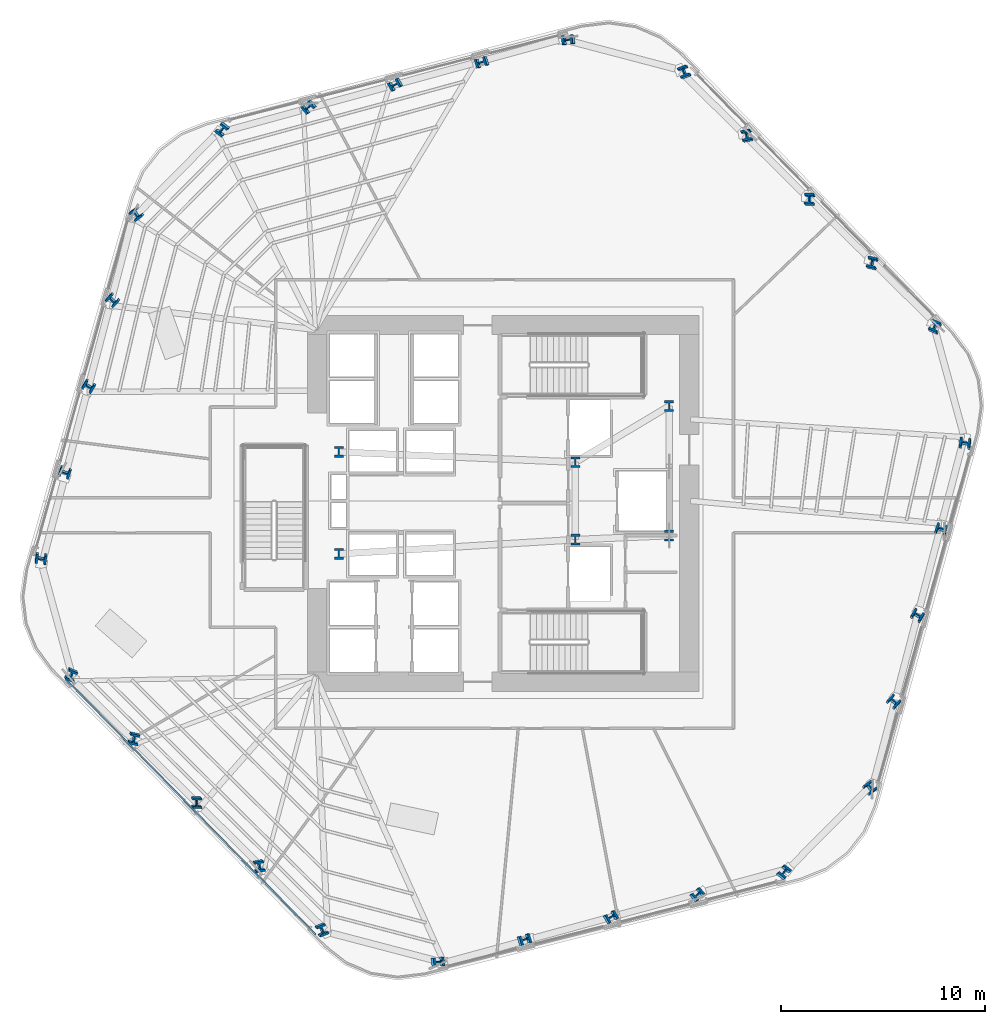
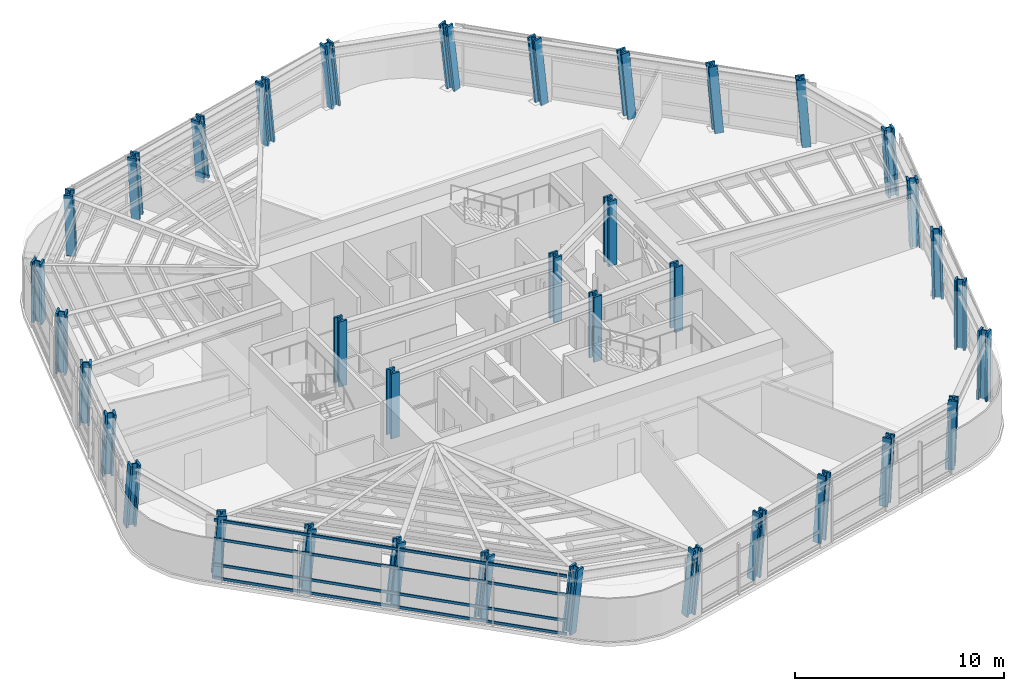
# One storey, part 1 of 17: 36 columns, 4 members, 1 element without a shape of its own.
"""IFC4 building model written with IfcOpenShell, lengths in metres."""

import ifcopenshell
import ifcopenshell.guid

model = None  # the IFC model being written
_history = None  # IfcOwnerHistory: only IFC2X3 demands one
_inside = {}  # id of a spatial element -> (the spatial element, [elements in it])
_under = {}  # id of a project, library or spatial element -> (it, [spatial elements below it])
_declared = {}  # id of a project -> (the project, [libraries it declares])
_typed = {}  # id of a type object -> (the type object, [elements of that type])
_made_of = {}  # id of a material, layer set ... -> (it, [elements and type objects made of it])


def new_model(schema):
    """Start an empty IFC model of exactly this schema.

    Asked for "IFC4X3", IfcOpenShell would pick the latest addendum, in which some entities
    have other attributes; the version numbers below select the first issue.
    IFC2X3 requires an IfcOwnerHistory on every rooted entity: one is made here for all.
    """
    global model, _history
    if schema == "IFC4X3":
        model = ifcopenshell.file(schema_version=(4, 3, 0, 0))
    else:
        model = ifcopenshell.file(schema=schema)
    _inside.clear()
    _under.clear()
    _declared.clear()
    _typed.clear()
    _made_of.clear()
    _history = None
    if model.schema == "IFC2X3":
        org = make("IfcOrganization", Name="unknown")
        user = make(
            "IfcPersonAndOrganization",
            ThePerson=make("IfcPerson", FamilyName="unknown"),
            TheOrganization=org,
        )
        app = make(
            "IfcApplication",
            ApplicationDeveloper=org,
            Version="unknown",
            ApplicationFullName="unknown",
            ApplicationIdentifier="unknown",
        )
        _history = make(
            "IfcOwnerHistory",
            OwningUser=user,
            OwningApplication=app,
            ChangeAction="ADDED",
            CreationDate=0,
        )
    return model


def make(cls, **values):
    """One entity of the class cls with the attributes given. An attribute that is None is left unset."""
    return model.create_entity(
        cls, **{name: value for name, value in values.items() if value is not None}
    )


def rooted(cls, **values):
    """An entity with a GlobalId (a new one), such as an element, a storey or a relation."""
    return make(cls, GlobalId=ifcopenshell.guid.new(), OwnerHistory=_history, **values)


def si_unit(unit_type, name, prefix=None):
    """IfcSIUnit, for example si_unit("LENGTHUNIT", "METRE", prefix="MILLI")."""
    return make("IfcSIUnit", UnitType=unit_type, Prefix=prefix, Name=name)


def assignment(units):
    """IfcUnitAssignment: the units of a project."""
    return None if units is None else make("IfcUnitAssignment", Units=units)


def point(xyz):
    """IfcCartesianPoint."""
    return None if xyz is None else make("IfcCartesianPoint", Coordinates=xyz)


def direction(xyz):
    """IfcDirection."""
    return None if xyz is None else make("IfcDirection", DirectionRatios=xyz)


def frame(location, z_axis=None, x_axis=None):
    """IfcAxis2Placement3D, a coordinate frame: its origin and axes. An axis left out is left unset."""
    return make(
        "IfcAxis2Placement3D",
        Location=point(location),
        Axis=direction(z_axis),
        RefDirection=direction(x_axis),
    )


def frame_2d(location, x_axis=None):
    """IfcAxis2Placement2D, a coordinate frame in the plane: its origin and x axis."""
    return make(
        "IfcAxis2Placement2D", Location=point(location), RefDirection=direction(x_axis)
    )


def origin():
    """The frame at (0, 0, 0) with its axes left unset."""
    return frame((0.0, 0.0, 0.0))


def origin_2d():
    """The frame at (0, 0) in the plane with its x axis left unset."""
    return frame_2d((0.0, 0.0))


def place(relative_to, where):
    """IfcLocalPlacement: puts the frame where relative to a parent placement (None: the world)."""
    return make(
        "IfcLocalPlacement", PlacementRelTo=relative_to, RelativePlacement=where
    )


def context(
    kind, dimensions, precision=None, world=None, true_north=None, identifier=None
):
    """IfcGeometricRepresentationContext, for example the 3D "Model" context."""
    return make(
        "IfcGeometricRepresentationContext",
        ContextIdentifier=identifier,
        ContextType=kind,
        CoordinateSpaceDimension=dimensions,
        Precision=precision,
        WorldCoordinateSystem=world,
        TrueNorth=true_north,
    )


def subcontext(parent, identifier, kind, view, scale=None):
    """IfcGeometricRepresentationSubContext, for example "Body" below "Model"."""
    return make(
        "IfcGeometricRepresentationSubContext",
        ContextIdentifier=identifier,
        ContextType=kind,
        ParentContext=parent,
        TargetScale=scale,
        TargetView=view,
    )


def project(units=None, contexts=None):
    """IfcProject with its units and contexts."""
    return rooted(
        "IfcProject",
        Name="project",
        RepresentationContexts=contexts,
        UnitsInContext=assignment(units),
    )


def spatial(cls, under=None, at=None, **own):
    """A site, building, storey or space (cls), placed at a placement, below another one or the project."""
    s = rooted(cls, ObjectPlacement=at, **own)
    if under is not None:
        _under.setdefault(under.id(), (under, []))[1].append(s)
    return s


def profile(cls, at=None, kind="AREA", **sizes):
    """A parametric profile (cls). Its sizes go by their IFC names, for example OverallWidth=200.0."""
    return make(cls, ProfileType=kind, Position=at, **sizes)


def rectangle(**sizes):
    """IfcRectangleProfileDef."""
    return profile("IfcRectangleProfileDef", **sizes)


def i_section(**sizes):
    """IfcIShapeProfileDef."""
    return profile("IfcIShapeProfileDef", **sizes)


def extrude(swept, where, along, depth):
    """IfcExtrudedAreaSolid: the profile swept, set in the frame where, extruded along a direction by depth."""
    return make(
        "IfcExtrudedAreaSolid",
        SweptArea=swept,
        Position=where,
        ExtrudedDirection=direction(along),
        Depth=depth,
    )


def shape(context_of_items, identifier, shape_type, items):
    """IfcShapeRepresentation: the items that make up one representation, for example the "Body"."""
    return make(
        "IfcShapeRepresentation",
        ContextOfItems=context_of_items,
        RepresentationIdentifier=identifier,
        RepresentationType=shape_type,
        Items=items,
    )


def material(Name=None, Category=None):
    """IfcMaterial."""
    return make("IfcMaterial", Name=Name, Category=Category)


def layer(
    of_material, thickness, ventilated=None, Name=None, Category=None, Priority=None
):
    """IfcMaterialLayer: one layer of a wall or slab, of a material (None: an air gap)."""
    return make(
        "IfcMaterialLayer",
        Material=of_material,
        LayerThickness=thickness,
        IsVentilated=ventilated,
        Name=Name,
        Category=Category,
        Priority=Priority,
    )


def layer_set(layers, Name=None):
    """IfcMaterialLayerSet."""
    return make("IfcMaterialLayerSet", MaterialLayers=layers, LayerSetName=Name)


def material_profile(
    of_material, cross_section, Name=None, Category=None, Priority=None
):
    """IfcMaterialProfile: a cross section and its material."""
    return make(
        "IfcMaterialProfile",
        Name=Name,
        Material=of_material,
        Profile=cross_section,
        Priority=Priority,
        Category=Category,
    )


def profile_set(profiles, Name=None, composite=None):
    """IfcMaterialProfileSet."""
    return make(
        "IfcMaterialProfileSet",
        Name=Name,
        MaterialProfiles=profiles,
        CompositeProfile=composite,
    )


def made_of(thing, what):
    """Note that an element or type object is made of a material, layer set ...; save() writes the relation."""
    if what is not None:
        _made_of.setdefault(what.id(), (what, []))[1].append(thing)
    return thing


def type_object(cls, material=None, **own):
    """A type object (cls), such as IfcWallType, which elements share."""
    return made_of(rooted(cls, **own), material)


def element(
    cls,
    number,
    at=None,
    inside=None,
    cuts=None,
    type_object=None,
    material=None,
    context=None,
    identifier="Body",
    shape_type=None,
    held_by="IfcProductDefinitionShape",
    body=None,
    shapes=None,
    **own,
):
    """One element of the class cls, such as IfcWall. Its Tag is "e" and its number.

    at: its placement. inside: the storey or other place that contains it. cuts: it is an
    opening in that element (IfcRelVoidsElement). A single representation is given by context,
    identifier, shape_type and body (its items); several are given by shapes. held_by: the class
    of the entity that holds the representations. save() writes the other relations.
    """
    e = rooted(cls, Tag="e%d" % number, ObjectPlacement=at, **own)
    if body is not None:
        shapes = [shape(context, identifier, shape_type, body)]
    if shapes is not None:
        e.Representation = make(held_by, Representations=shapes)
    if inside is not None:
        _inside.setdefault(inside.id(), (inside, []))[1].append(e)
    if cuts is not None:
        rooted(
            "IfcRelVoidsElement", RelatingBuildingElement=cuts, RelatedOpeningElement=e
        )
    if type_object is not None:
        _typed.setdefault(type_object.id(), (type_object, []))[1].append(e)
    return made_of(e, material)


def aggregate(whole, parts):
    """IfcRelAggregates: a whole, such as a stair, and the parts it consists of."""
    return rooted("IfcRelAggregates", RelatingObject=whole, RelatedObjects=parts)


def save(model, path):
    """Write the relations noted so far, then the file.

    IfcRelAggregates (storeys below a building ...), IfcRelContainedInSpatialStructure (elements
    in a storey), IfcRelDefinesByType, IfcRelAssociatesMaterial and IfcRelDeclares: one each for
    every whole, place, type object, material and project.
    """
    for whole, parts in _under.values():
        aggregate(whole, parts)
    for where, things in _inside.values():
        rooted(
            "IfcRelContainedInSpatialStructure",
            RelatedElements=things,
            RelatingStructure=where,
        )
    for kind, things in _typed.values():
        rooted("IfcRelDefinesByType", RelatedObjects=things, RelatingType=kind)
    for what, things in _made_of.values():
        rooted("IfcRelAssociatesMaterial", RelatedObjects=things, RelatingMaterial=what)
    for by, libraries in _declared.values():
        rooted("IfcRelDeclares", RelatingContext=by, RelatedDefinitions=libraries)
    model.write(path)


model = new_model("IFC4")

# Units and contexts
model_context = context("Model", 3, precision=1e-05, world=origin(), true_north=direction((0.0, 1.0)))
body_context = subcontext(model_context, "Body", "Model", "MODEL_VIEW")
ifc_project = project(units=[si_unit("LENGTHUNIT", "METRE"), si_unit("AREAUNIT", "SQUARE_METRE"), si_unit("VOLUMEUNIT", "CUBIC_METRE"), si_unit("PLANEANGLEUNIT", "RADIAN"), si_unit("MASSUNIT", "GRAM", prefix="KILO")], contexts=[model_context])

# Site, building, storey
site_placement = place(None, origin())
site = spatial("IfcSite", under=ifc_project, at=site_placement, CompositionType="ELEMENT")
building_placement = place(site_placement, origin())
building = spatial("IfcBuilding", under=site, at=building_placement, Name="Valkerne Bourse Tower", CompositionType="ELEMENT")
storey_placement = place(building_placement, frame((0.0, 0.0, 85.800048828125)))
storey = spatial("IfcBuildingStorey", under=building, at=storey_placement, Name="L21", CompositionType="ELEMENT", Elevation=85.800048828125)

# Columns
ifc_material_1 = material(Name="Steel ASTM A913 Grade 65", Category="steel")
ifc_material_profile_1 = material_profile(ifc_material_1, i_section(OverallWidth=0.44189453125, OverallDepth=0.531005859375, WebThickness=0.06591796875, FlangeThickness=0.105712890625, FilletRadius=0.030517578125, at=origin_2d()), Name="W14X605")
ifc_profile_set_1 = profile_set([ifc_material_profile_1], Name="Steel ASTM A913 Grade 65")
column_type = type_object("IfcColumnType", Name="COL-W14X605", PredefinedType="COLUMN", material=ifc_profile_set_1)
for number, where, z_axis, x_axis, name in (
    (1, (38.75, 24.39990234375, 0.0048828125), (0.0, 0.0, 1.0), (1.0, 0.0, 0.0), "L21 Core Frame Column CC-SW"),
    (2, (38.75, 29.39990234375, 0.0048828125), (0.0, 0.0, 1.0), (1.0, 0.0, 0.0), "L21 Core Frame Column CC-NW"),
    (3, (50.35009765625, 25.10009765625, 0.0048828125), (0.0, 0.0, 1.0), (1.0, 0.0, 0.0), "L21 Core Frame Column CC-CE1"),
    (4, (50.35009765625, 28.89990234375, 0.0048828125), (0.0, 0.0, 1.0), (1.0, 0.0, 0.0), "L21 Core Frame Column CC-CE2"),
    (5, (54.949951171875, 25.300048828125, 0.0048828125), (0.0, 0.0, 1.0), (1.0, 0.0, 0.0), "L21 Core Frame Column CC-SE"),
    (6, (54.949951171875, 31.64990234375, 0.0048828125), (0.0, 0.0, 1.0), (1.0, 0.0, 0.0), "L21 Core Frame Column CC-NE"),
):
    element("IfcColumn", number, at=place(storey_placement, frame(where, z_axis=z_axis, x_axis=x_axis)), inside=storey, type_object=column_type, Name=name, PredefinedType="COLUMN", context=body_context, shape_type="SweptSolid", body=[
        extrude(i_section(OverallWidth=0.44189453125, OverallDepth=0.531005859375, WebThickness=0.06591796875, FlangeThickness=0.105712890625, FilletRadius=0.030517578125, at=origin_2d()), origin(), (0.0, 0.0, 1.0), 3.795166015625),
    ])
column_1_placement = place(storey_placement, frame((67.999755859375, 35.4912109375, 0.010009765625), z_axis=(-0.03574059762, 0.087423044538, 0.995529919674), x_axis=(0.916794699079, -0.393616545836, 0.067479586429)))
element("IfcColumn", 7, at=column_1_placement, inside=storey, type_object=column_type, Name="L21 Helical Perimeter Tube Column F1-C1", PredefinedType="COLUMN", context=body_context, shape_type="SweptSolid", body=[
    extrude(i_section(OverallWidth=0.44189453125, OverallDepth=0.531005859375, WebThickness=0.06591796875, FlangeThickness=0.105712890625, FilletRadius=0.030517578125, at=origin_2d()), origin(), (0.0, 0.0, 1.0), 3.798095703125),
])
column_2_placement = place(storey_placement, frame((64.93310546875, 38.622802734375, 0.010009765625), z_axis=(-0.048685131314, 0.074667684882, 0.996019324523), x_axis=(0.974762718724, -0.21396656408, 0.06368635365)))
element("IfcColumn", 8, at=column_2_placement, inside=storey, type_object=column_type, Name="L21 Helical Perimeter Tube Column F1-C2", PredefinedType="COLUMN", context=body_context, shape_type="SweptSolid", body=[
    extrude(i_section(OverallWidth=0.44189453125, OverallDepth=0.531005859375, WebThickness=0.06591796875, FlangeThickness=0.105712890625, FilletRadius=0.030517578125, at=origin_2d()), origin(), (0.0, 0.0, 1.0), 3.796142578125),
])
column_3_placement = place(storey_placement, frame((61.86669921875, 41.75439453125, 0.010009765625), z_axis=(-0.061558170828, 0.061815467257, 0.996187452045), x_axis=(0.9979990455, -0.010627003888, 0.062329543312)))
element("IfcColumn", 9, at=column_3_placement, inside=storey, type_object=column_type, Name="L21 Helical Perimeter Tube Column F1-C3", PredefinedType="COLUMN", context=body_context, shape_type="SweptSolid", body=[
    extrude(i_section(OverallWidth=0.44189453125, OverallDepth=0.531005859375, WebThickness=0.06591796875, FlangeThickness=0.105712890625, FilletRadius=0.030517578125, at=origin_2d()), origin(), (0.0, 0.0, 1.0), 3.79541015625),
])
column_4_placement = place(storey_placement, frame((58.800048828125, 44.8857421875, 0.010009765625), z_axis=(-0.074410455268, 0.049071026248, 0.996019637623), x_axis=(0.979264470739, 0.192316050009, 0.063683853974)))
element("IfcColumn", 10, at=column_4_placement, inside=storey, type_object=column_type, Name="L21 Helical Perimeter Tube Column F1-C4", PredefinedType="COLUMN", context=body_context, shape_type="SweptSolid", body=[
    extrude(i_section(OverallWidth=0.44189453125, OverallDepth=0.531005859375, WebThickness=0.06591796875, FlangeThickness=0.105712890625, FilletRadius=0.030517578125, at=origin_2d()), origin(), (0.0, 0.0, 1.0), 3.796142578125),
])
for number, where, z_axis, x_axis, name in (
    (11, (55.7333984375, 48.017333984375, 0.010009765625), (-0.087230053786, 0.036254790225, 0.995528255703), (0.925333711984, 0.37309829222, 0.067492116637), "L21 Helical Perimeter Tube Column F1-C5"),
    (12, (50.04638671875, 49.605224609375, 0.010009765625), (-0.093594081235, 0.012663484892, 0.995529901162), (-0.11547460342, 0.993032693523, -0.023487987551), "L21 Helical Perimeter Tube Column F2-C1"),
):
    element("IfcColumn", number, at=place(storey_placement, frame(where, z_axis=z_axis, x_axis=x_axis)), inside=storey, type_object=column_type, Name=name, PredefinedType="COLUMN", context=body_context, shape_type="SweptSolid", body=[
        extrude(i_section(OverallWidth=0.44189453125, OverallDepth=0.531005859375, WebThickness=0.06591796875, FlangeThickness=0.105712890625, FilletRadius=0.030517578125, at=origin_2d()), origin(), (0.0, 0.0, 1.0), 3.798095703125),
    ])
column_5_placement = place(storey_placement, frame((45.801025390625, 48.51513671875, 0.010009765625), z_axis=(-0.089009519513, -0.004823492748, 0.996019095878), x_axis=(-0.299748322467, 0.953760720544, -0.0221682459)))
element("IfcColumn", 13, at=column_5_placement, inside=storey, type_object=column_type, Name="L21 Helical Perimeter Tube Column F2-C2", PredefinedType="COLUMN", context=body_context, shape_type="SweptSolid", body=[
    extrude(i_section(OverallWidth=0.44189453125, OverallDepth=0.531005859375, WebThickness=0.06591796875, FlangeThickness=0.105712890625, FilletRadius=0.030517578125, at=origin_2d()), origin(), (0.0, 0.0, 1.0), 3.796142578125),
])
column_6_placement = place(storey_placement, frame((41.5556640625, 47.42529296875, 0.010009765625), z_axis=(-0.084328825485, -0.022384768321, 0.996186514333), x_axis=(-0.48794996714, 0.872601871578, -0.021698001912)))
element("IfcColumn", 14, at=column_6_placement, inside=storey, type_object=column_type, Name="L21 Helical Perimeter Tube Column F2-C3", PredefinedType="COLUMN", context=body_context, shape_type="SweptSolid", body=[
    extrude(i_section(OverallWidth=0.44189453125, OverallDepth=0.531005859375, WebThickness=0.06591796875, FlangeThickness=0.105712890625, FilletRadius=0.030517578125, at=origin_2d()), origin(), (0.0, 0.0, 1.0), 3.79541015625),
])
column_7_placement = place(storey_placement, frame((37.310302734375, 46.335205078125, 0.010009765625), z_axis=(-0.07968435728, -0.039874335362, 0.99602230928), x_axis=(-0.654957627289, 0.755340632579, -0.022159314781)))
element("IfcColumn", 15, at=column_7_placement, inside=storey, type_object=column_type, Name="L21 Helical Perimeter Tube Column F2-C4", PredefinedType="COLUMN", context=body_context, shape_type="SweptSolid", body=[
    extrude(i_section(OverallWidth=0.44189453125, OverallDepth=0.531005859375, WebThickness=0.06591796875, FlangeThickness=0.105712890625, FilletRadius=0.030517578125, at=origin_2d()), origin(), (0.0, 0.0, 1.0), 3.796142578125),
])
for number, where, z_axis, x_axis, name in (
    (16, (33.065185546875, 45.2451171875, 0.010009765625), (-0.075016592708, -0.057403442406, 0.995528681464), (-0.785228198311, 0.618760729866, -0.023491184584), "L21 Helical Perimeter Tube Column F2-C5"),
    (17, (28.846435546875, 41.114013671875, 0.010009765625), (-0.057788960855, -0.074759245244, 0.995525736108), (-0.799182345409, -0.594158868296, -0.091009988529), "L21 Helical Perimeter Tube Column F3-C1"),
):
    element("IfcColumn", number, at=place(storey_placement, frame(where, z_axis=z_axis, x_axis=x_axis)), inside=storey, type_object=column_type, Name=name, PredefinedType="COLUMN", context=body_context, shape_type="SweptSolid", body=[
        extrude(i_section(OverallWidth=0.44189453125, OverallDepth=0.531005859375, WebThickness=0.06591796875, FlangeThickness=0.105712890625, FilletRadius=0.030517578125, at=origin_2d()), origin(), (0.0, 0.0, 1.0), 3.798095703125),
    ])
column_8_placement = place(storey_placement, frame((27.667724609375, 36.892333984375, 0.010009765625), z_axis=(-0.040260417524, -0.079427501025, 0.996027294235), x_axis=(-0.673598421104, -0.734104210474, -0.085768148224)))
element("IfcColumn", 18, at=column_8_placement, inside=storey, type_object=column_type, Name="L21 Helical Perimeter Tube Column F3-C2", PredefinedType="COLUMN", context=body_context, shape_type="SweptSolid", body=[
    extrude(i_section(OverallWidth=0.44189453125, OverallDepth=0.531005859375, WebThickness=0.06591796875, FlangeThickness=0.105712890625, FilletRadius=0.030517578125, at=origin_2d()), origin(), (0.0, 0.0, 1.0), 3.796142578125),
])
column_9_placement = place(storey_placement, frame((26.489013671875, 32.6708984375, 0.010009765625), z_axis=(-0.022770761029, -0.084200356462, 0.996188632947), x_axis=(-0.510077137878, -0.856015954988, -0.084011893323)))
element("IfcColumn", 19, at=column_9_placement, inside=storey, type_object=column_type, Name="L21 Helical Perimeter Tube Column F3-C3", PredefinedType="COLUMN", context=body_context, shape_type="SweptSolid", body=[
    extrude(i_section(OverallWidth=0.44189453125, OverallDepth=0.531005859375, WebThickness=0.06591796875, FlangeThickness=0.105712890625, FilletRadius=0.030517578125, at=origin_2d()), origin(), (0.0, 0.0, 1.0), 3.79541015625),
])
column_10_placement = place(storey_placement, frame((25.310302734375, 28.449462890625, 0.010009765625), z_axis=(-0.005273673418, -0.089009317209, 0.996016832096), x_axis=(-0.325188238477, -0.941741525283, -0.085880784306)))
element("IfcColumn", 20, at=column_10_placement, inside=storey, type_object=column_type, Name="L21 Helical Perimeter Tube Column F3-C4", PredefinedType="COLUMN", context=body_context, shape_type="SweptSolid", body=[
    extrude(i_section(OverallWidth=0.44189453125, OverallDepth=0.531005859375, WebThickness=0.06591796875, FlangeThickness=0.105712890625, FilletRadius=0.030517578125, at=origin_2d()), origin(), (0.0, 0.0, 1.0), 3.796142578125),
])
for number, where, z_axis, x_axis, name in (
    (21, (24.131591796875, 24.227783203125, 0.010009765625), (0.0122135082, -0.09365832341, 0.995529481569), (-0.142672176326, -0.985580412856, -0.090971973141), "L21 Helical Perimeter Tube Column F3-C5"),
    (22, (25.60009765625, 18.5087890625, 0.010009765625), (0.035804796936, -0.087422843506, 0.99552763043), (0.917041811188, -0.393037523925, -0.067496824522), "L21 Helical Perimeter Tube Column F4-C1"),
):
    element("IfcColumn", number, at=place(storey_placement, frame(where, z_axis=z_axis, x_axis=x_axis)), inside=storey, type_object=column_type, Name=name, PredefinedType="COLUMN", context=body_context, shape_type="SweptSolid", body=[
        extrude(i_section(OverallWidth=0.44189453125, OverallDepth=0.531005859375, WebThickness=0.06591796875, FlangeThickness=0.105712890625, FilletRadius=0.030517578125, at=origin_2d()), origin(), (0.0, 0.0, 1.0), 3.798095703125),
    ])
column_11_placement = place(storey_placement, frame((28.666748046875, 15.377197265625, 0.010009765625), z_axis=(0.048685131314, -0.074667684882, 0.996019324523), x_axis=(0.974762718724, -0.21396656408, -0.06368635365)))
element("IfcColumn", 23, at=column_11_placement, inside=storey, type_object=column_type, Name="L21 Helical Perimeter Tube Column F4-C2", PredefinedType="COLUMN", context=body_context, shape_type="SweptSolid", body=[
    extrude(i_section(OverallWidth=0.44189453125, OverallDepth=0.531005859375, WebThickness=0.06591796875, FlangeThickness=0.105712890625, FilletRadius=0.030517578125, at=origin_2d()), origin(), (0.0, 0.0, 1.0), 3.796142578125),
])
column_12_placement = place(storey_placement, frame((31.7333984375, 12.24560546875, 0.010009765625), z_axis=(0.061558170828, -0.061815467257, 0.996187452045), x_axis=(0.9979990455, -0.010627003888, -0.062329543312)))
element("IfcColumn", 24, at=column_12_placement, inside=storey, type_object=column_type, Name="L21 Helical Perimeter Tube Column F4-C3", PredefinedType="COLUMN", context=body_context, shape_type="SweptSolid", body=[
    extrude(i_section(OverallWidth=0.44189453125, OverallDepth=0.531005859375, WebThickness=0.06591796875, FlangeThickness=0.105712890625, FilletRadius=0.030517578125, at=origin_2d()), origin(), (0.0, 0.0, 1.0), 3.79541015625),
])
column_13_placement = place(storey_placement, frame((34.800048828125, 9.1142578125, 0.010009765625), z_axis=(0.074410455268, -0.049071026248, 0.996019637623), x_axis=(0.979264470739, 0.192316050009, -0.063683853974)))
element("IfcColumn", 25, at=column_13_placement, inside=storey, type_object=column_type, Name="L21 Helical Perimeter Tube Column F4-C4", PredefinedType="COLUMN", context=body_context, shape_type="SweptSolid", body=[
    extrude(i_section(OverallWidth=0.44189453125, OverallDepth=0.531005859375, WebThickness=0.06591796875, FlangeThickness=0.105712890625, FilletRadius=0.030517578125, at=origin_2d()), origin(), (0.0, 0.0, 1.0), 3.796142578125),
])
for number, where, z_axis, x_axis, name in (
    (26, (37.86669921875, 5.982666015625, 0.010009765625), (0.087230053786, -0.036254790225, 0.995528255703), (0.925333711984, 0.37309829222, -0.067492116637), "L21 Helical Perimeter Tube Column F4-C5"),
    (27, (43.5537109375, 4.394775390625, 0.010009765625), (0.093594081235, -0.012663484892, 0.995529901162), (-0.11547460342, 0.993032693523, 0.023487987551), "L21 Helical Perimeter Tube Column F5-C1"),
):
    element("IfcColumn", number, at=place(storey_placement, frame(where, z_axis=z_axis, x_axis=x_axis)), inside=storey, type_object=column_type, Name=name, PredefinedType="COLUMN", context=body_context, shape_type="SweptSolid", body=[
        extrude(i_section(OverallWidth=0.44189453125, OverallDepth=0.531005859375, WebThickness=0.06591796875, FlangeThickness=0.105712890625, FilletRadius=0.030517578125, at=origin_2d()), origin(), (0.0, 0.0, 1.0), 3.798095703125),
    ])
column_14_placement = place(storey_placement, frame((47.799072265625, 5.48486328125, 0.010009765625), z_axis=(0.088945715263, 0.00482352035, 0.996024795569), x_axis=(-0.299786999773, 0.953748932293, 0.022152402064)))
element("IfcColumn", 28, at=column_14_placement, inside=storey, type_object=column_type, Name="L21 Helical Perimeter Tube Column F5-C2", PredefinedType="COLUMN", context=body_context, shape_type="SweptSolid", body=[
    extrude(i_section(OverallWidth=0.44189453125, OverallDepth=0.531005859375, WebThickness=0.06591796875, FlangeThickness=0.105712890625, FilletRadius=0.030517578125, at=origin_2d()), origin(), (0.0, 0.0, 1.0), 3.796142578125),
])
column_15_placement = place(storey_placement, frame((52.044189453125, 6.57470703125, 0.010009765625), z_axis=(0.084392691582, 0.022384646852, 0.996181108631), x_axis=(-0.487783725273, 0.872694429897, 0.021713345771)))
element("IfcColumn", 29, at=column_15_placement, inside=storey, type_object=column_type, Name="L21 Helical Perimeter Tube Column F5-C3", PredefinedType="COLUMN", context=body_context, shape_type="SweptSolid", body=[
    extrude(i_section(OverallWidth=0.44189453125, OverallDepth=0.531005859375, WebThickness=0.06591796875, FlangeThickness=0.105712890625, FilletRadius=0.030517578125, at=origin_2d()), origin(), (0.0, 0.0, 1.0), 3.79541015625),
])
column_16_placement = place(storey_placement, frame((56.28955078125, 7.664794921875, 0.010009765625), z_axis=(0.07968435728, 0.039874335362, 0.99602230928), x_axis=(-0.654957627289, 0.755340632579, 0.022159314781)))
element("IfcColumn", 30, at=column_16_placement, inside=storey, type_object=column_type, Name="L21 Helical Perimeter Tube Column F5-C4", PredefinedType="COLUMN", context=body_context, shape_type="SweptSolid", body=[
    extrude(i_section(OverallWidth=0.44189453125, OverallDepth=0.531005859375, WebThickness=0.06591796875, FlangeThickness=0.105712890625, FilletRadius=0.030517578125, at=origin_2d()), origin(), (0.0, 0.0, 1.0), 3.796142578125),
])
for number, where, z_axis, x_axis, name in (
    (31, (60.534912109375, 8.7548828125, 0.010009765625), (0.075016592708, 0.057403442406, 0.995528681464), (-0.785228198311, 0.618760729866, 0.023491184584), "L21 Helical Perimeter Tube Column F5-C5"),
    (32, (64.753662109375, 12.885986328125, 0.010009765625), (0.05772489379, 0.074759522803, 0.995529432205), (-0.798864475637, -0.594591926021, 0.090972474274), "L21 Helical Perimeter Tube Column F6-C1"),
):
    element("IfcColumn", number, at=place(storey_placement, frame(where, z_axis=z_axis, x_axis=x_axis)), inside=storey, type_object=column_type, Name=name, PredefinedType="COLUMN", context=body_context, shape_type="SweptSolid", body=[
        extrude(i_section(OverallWidth=0.44189453125, OverallDepth=0.531005859375, WebThickness=0.06591796875, FlangeThickness=0.105712890625, FilletRadius=0.030517578125, at=origin_2d()), origin(), (0.0, 0.0, 1.0), 3.798095703125),
    ])
column_17_placement = place(storey_placement, frame((65.93212890625, 17.107666015625, 0.010009765625), z_axis=(0.040324626794, 0.0794272952, 0.996024713173), x_axis=(-0.674069912856, -0.733668049973, 0.085795949963)))
element("IfcColumn", 33, at=column_17_placement, inside=storey, type_object=column_type, Name="L21 Helical Perimeter Tube Column F6-C2", PredefinedType="COLUMN", context=body_context, shape_type="SweptSolid", body=[
    extrude(i_section(OverallWidth=0.44189453125, OverallDepth=0.531005859375, WebThickness=0.06591796875, FlangeThickness=0.105712890625, FilletRadius=0.030517578125, at=origin_2d()), origin(), (0.0, 0.0, 1.0), 3.796142578125),
])
column_18_placement = place(storey_placement, frame((67.11083984375, 21.3291015625, 0.010009765625), z_axis=(0.022835051719, 0.084200232959, 0.996187171762), x_axis=(-0.510685902196, -0.855651336925, 0.084027965088)))
element("IfcColumn", 34, at=column_18_placement, inside=storey, type_object=column_type, Name="L21 Helical Perimeter Tube Column F6-C3", PredefinedType="COLUMN", context=body_context, shape_type="SweptSolid", body=[
    extrude(i_section(OverallWidth=0.44189453125, OverallDepth=0.531005859375, WebThickness=0.06591796875, FlangeThickness=0.105712890625, FilletRadius=0.030517578125, at=origin_2d()), origin(), (0.0, 0.0, 1.0), 3.79541015625),
])
column_19_placement = place(storey_placement, frame((68.28955078125, 25.550537109375, 0.010009765625), z_axis=(0.005337984687, 0.089009286836, 0.996016492221), x_axis=(-0.325866174287, -0.9415068238, 0.085884440925)))
element("IfcColumn", 35, at=column_19_placement, inside=storey, type_object=column_type, Name="L21 Helical Perimeter Tube Column F6-C4", PredefinedType="COLUMN", context=body_context, shape_type="SweptSolid", body=[
    extrude(i_section(OverallWidth=0.44189453125, OverallDepth=0.531005859375, WebThickness=0.06591796875, FlangeThickness=0.105712890625, FilletRadius=0.030517578125, at=origin_2d()), origin(), (0.0, 0.0, 1.0), 3.796142578125),
])
column_20_placement = place(storey_placement, frame((69.46826171875, 29.772216796875, 0.010009765625), z_axis=(-0.0122135082, 0.09365832341, 0.995529481569), x_axis=(-0.142672176326, -0.985580412856, 0.090971973141)))
element("IfcColumn", 36, at=column_20_placement, inside=storey, type_object=column_type, Name="L21 Helical Perimeter Tube Column F6-C5", PredefinedType="COLUMN", context=body_context, shape_type="SweptSolid", body=[
    extrude(i_section(OverallWidth=0.44189453125, OverallDepth=0.531005859375, WebThickness=0.06591796875, FlangeThickness=0.105712890625, FilletRadius=0.030517578125, at=origin_2d()), origin(), (0.0, 0.0, 1.0), 3.798095703125),
])

# Curtain wall, members
ifc_material_2 = material(Name="Aluminium AA 6063-T6", Category="aluminium")
ifc_layer = layer(ifc_material_2, 0.22998046875)
ifc_layer_set = layer_set([ifc_layer], Name="Aluminium AA 6063-T6")
curtain_wall_type = type_object("IfcCurtainWallType", Name="CW-02", PredefinedType="NOTDEFINED", material=ifc_layer_set)
curtain_wall_placement = place(storey_placement, origin())
curtain_wall = element("IfcCurtainWall", 37, at=curtain_wall_placement, inside=storey, type_object=curtain_wall_type, Name="L21 Hexagonal Stick Curtain Wall Face 4", PredefinedType="NOTDEFINED")
ifc_material_profile_2 = material_profile(ifc_material_2, rectangle(XDim=0.074951171875, YDim=0.14990234375, at=origin_2d()), Name="CWT-75X150")
ifc_profile_set_2 = profile_set([ifc_material_profile_2], Name="Aluminium AA 6063-T6")
member_type = type_object("IfcMemberType", Name="CW-TRN-180X65", PredefinedType="USERDEFINED", material=ifc_profile_set_2)
member_1_placement = place(storey_placement, frame((25.343017578125, 18.2568359375, 0.119873046875), z_axis=(0.699666706392, -0.714469383505, 0.0), x_axis=(0.714469383505, 0.699666706392, 0.0)))
member_1 = element("IfcMember", 38, at=member_1_placement, type_object=member_type, Name="CW-L21-F4 Continuous Face Transom 1", ObjectType="TRANSOM", PredefinedType="USERDEFINED", context=body_context, shape_type="SweptSolid", body=[
    extrude(rectangle(XDim=0.074951171875, YDim=0.14990234375, at=origin_2d()), origin(), (0.0, 0.0, 1.0), 17.531982421875),
])
member_2_placement = place(storey_placement, frame((25.343017578125, 18.2568359375, 0.89990234375), z_axis=(0.699666706392, -0.714469383505, 0.0), x_axis=(0.714469383505, 0.699666706392, 0.0)))
member_2 = element("IfcMember", 39, at=member_2_placement, type_object=member_type, Name="CW-L21-F4 Continuous Face Transom 2", ObjectType="TRANSOM", PredefinedType="USERDEFINED", context=body_context, shape_type="SweptSolid", body=[
    extrude(rectangle(XDim=0.074951171875, YDim=0.14990234375, at=origin_2d()), origin(), (0.0, 0.0, 1.0), 17.531982421875),
])
member_3_placement = place(storey_placement, frame((25.343017578125, 18.2568359375, 2.39990234375), z_axis=(0.699666706392, -0.714469383505, 0.0), x_axis=(0.714469383505, 0.699666706392, 0.0)))
member_3 = element("IfcMember", 40, at=member_3_placement, type_object=member_type, Name="CW-L21-F4 Continuous Face Transom 3", ObjectType="TRANSOM", PredefinedType="USERDEFINED", context=body_context, shape_type="SweptSolid", body=[
    extrude(rectangle(XDim=0.074951171875, YDim=0.14990234375, at=origin_2d()), origin(), (0.0, 0.0, 1.0), 17.531982421875),
])
member_4_placement = place(storey_placement, frame((25.343017578125, 18.2568359375, 3.5), z_axis=(0.699666706392, -0.714469383505, 0.0), x_axis=(0.714469383505, 0.699666706392, 0.0)))
member_4 = element("IfcMember", 41, at=member_4_placement, type_object=member_type, Name="CW-L21-F4 Continuous Face Transom 4", ObjectType="TRANSOM", PredefinedType="USERDEFINED", context=body_context, shape_type="SweptSolid", body=[
    extrude(rectangle(XDim=0.074951171875, YDim=0.14990234375, at=origin_2d()), origin(), (0.0, 0.0, 1.0), 17.531982421875),
])
aggregate(curtain_wall, [member_1, member_2, member_3, member_4])

save(model, "model.ifc")
